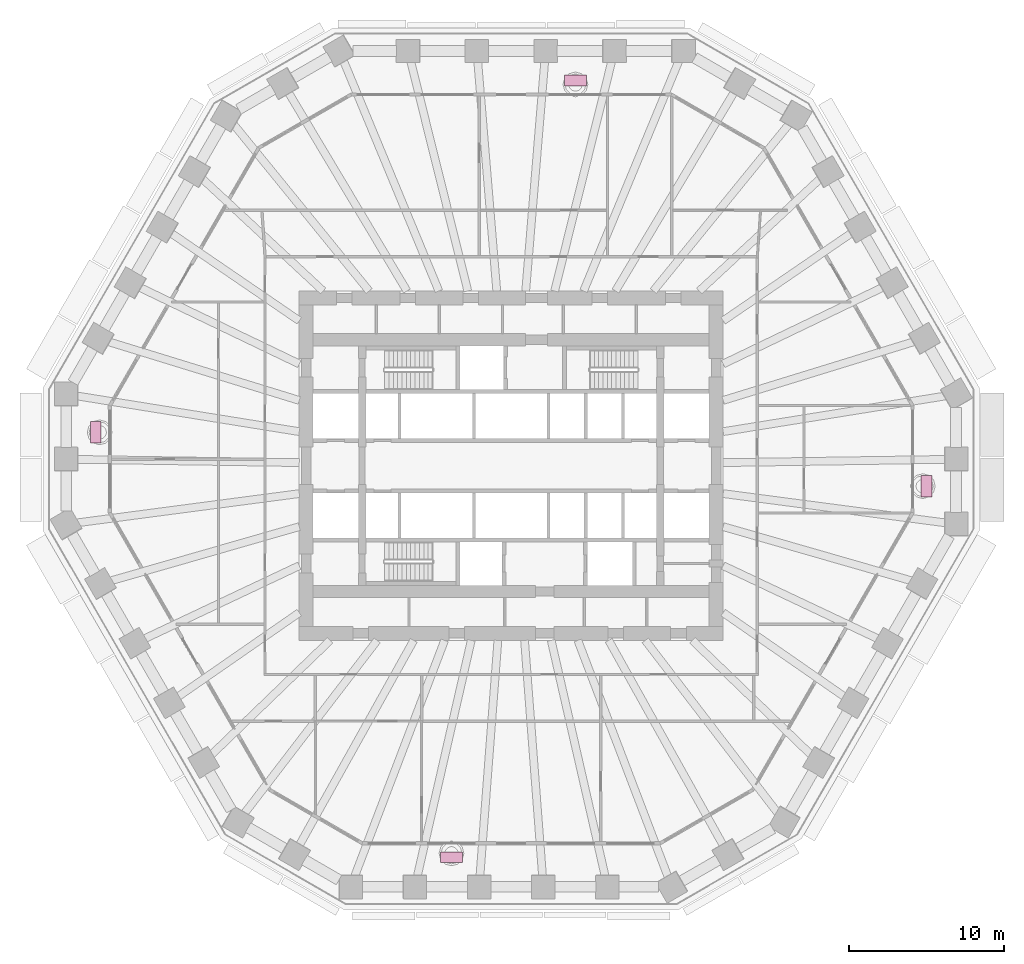
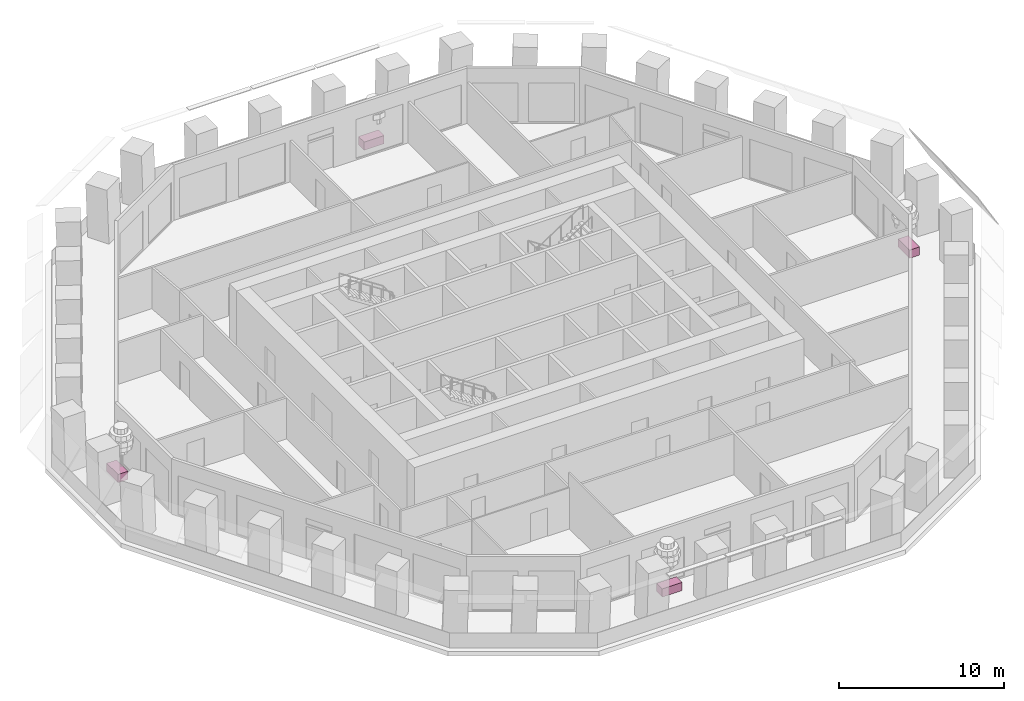
# One storey, part 12 of 13: 4 furniture elements.
"""IFC4 building model written with IfcOpenShell, lengths in metres."""

from ifc_helpers import new_model, si_unit, direction, frame, origin, origin_2d, place, context, subcontext, project, spatial, rectangle, extrude, material, type_object, element, save


model = new_model("IFC4")

# Units and contexts
model_context = context("Model", 3, precision=1e-05, world=origin(), true_north=direction((0.0, 1.0)))
body_context = subcontext(model_context, "Body", "Model", "MODEL_VIEW")
ifc_project = project(units=[si_unit("LENGTHUNIT", "METRE"), si_unit("AREAUNIT", "SQUARE_METRE"), si_unit("VOLUMEUNIT", "CUBIC_METRE"), si_unit("PLANEANGLEUNIT", "RADIAN"), si_unit("MASSUNIT", "GRAM", prefix="KILO")], contexts=[model_context])

# Site, building, storey
site_placement = place(None, origin())
site = spatial("IfcSite", under=ifc_project, at=site_placement, CompositionType="ELEMENT")
building_placement = place(site_placement, origin())
building = spatial("IfcBuilding", under=site, at=building_placement, Name="Frailejon Research Tower", CompositionType="ELEMENT")
storey_placement = place(building_placement, frame((0.0, 0.0, 27.800048828125)))
storey = spatial("IfcBuildingStorey", under=building, at=storey_placement, Name="L06", CompositionType="ELEMENT", Elevation=27.800048828125)

# Furniture
ifc_material = material(Name="Precast concrete C30/37 planter, terracotta", Category="masonry")
furniture_type = type_object("IfcFurnitureType", Name="Loggia planter 1400x700", AssemblyPlace="NOTDEFINED", PredefinedType="USERDEFINED", material=ifc_material)
for number, where, z_axis, x_axis, name in (
    (1, (26.752197265625, -1.317138671875, 0.0), (0.0, 0.0, 1.0), (0.0, 1.0, 0.0), "Planter L06"),
    (2, (4.13427734375, 24.800048828125, 0.0), (0.0, 0.0, 1.0), (-1.0, 0.0, 0.0), "Planter L06"),
    (3, (-26.752197265625, 2.14697265625, 0.0), (0.0, 0.0, 1.0), (0.0, -1.0, 0.0), "Planter L06"),
    (4, (-3.8466796875, -25.21484375, 0.0), (0.0, 0.0, 1.0), (1.0, 0.0, 0.0), "Planter L06"),
):
    element("IfcFurniture", number, at=place(storey_placement, frame(where, z_axis=z_axis, x_axis=x_axis)), inside=storey, type_object=furniture_type, Name=name, ObjectType="PLANTER", PredefinedType="USERDEFINED", context=body_context, shape_type="SweptSolid", body=[
        extrude(rectangle(XDim=1.39990234375, YDim=0.699951171875, at=origin_2d()), origin(), (0.0, 0.0, 1.0), 0.60009765625),
    ])

save(model, "model.ifc")
